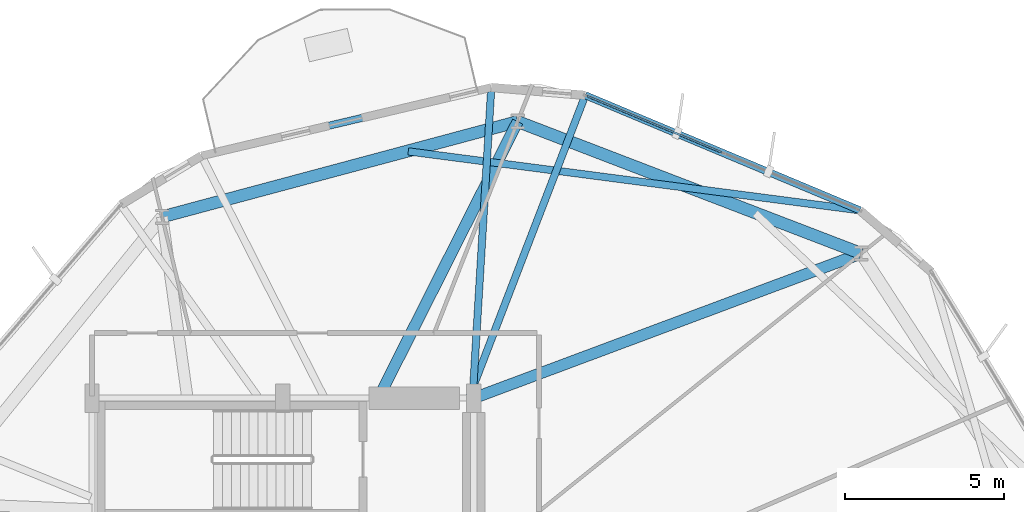
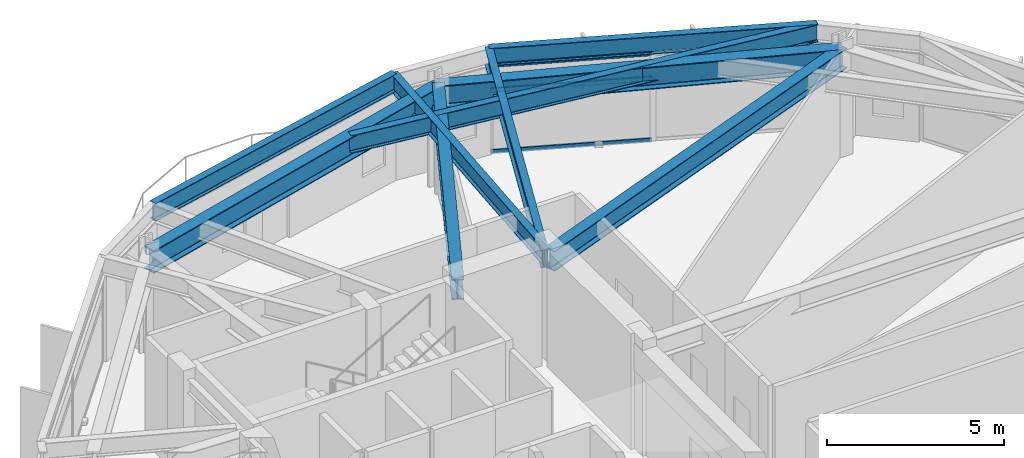
# One storey, part 12 of 21: 9 beams, 3 members, 1 element without a shape of its own.
"""IFC4 building model written with IfcOpenShell, lengths in metres."""

from ifc_helpers import new_model, si_unit, direction, frame, origin, origin_2d, place, context, subcontext, project, spatial, hollow_rectangle, i_section, extrude, material, layer, layer_set, material_profile, profile_set, type_object, element, aggregate, save


model = new_model("IFC4")

# Units and contexts
model_context = context("Model", 3, precision=1e-05, world=origin(), true_north=direction((0.0, 1.0)))
body_context = subcontext(model_context, "Body", "Model", "MODEL_VIEW")
ifc_project = project(units=[si_unit("LENGTHUNIT", "METRE"), si_unit("AREAUNIT", "SQUARE_METRE"), si_unit("VOLUMEUNIT", "CUBIC_METRE"), si_unit("PLANEANGLEUNIT", "RADIAN"), si_unit("MASSUNIT", "GRAM", prefix="KILO")], contexts=[model_context])

# Site, building, storey
site_placement = place(None, origin())
site = spatial("IfcSite", under=ifc_project, at=site_placement, CompositionType="ELEMENT")
building_placement = place(site_placement, origin())
building = spatial("IfcBuilding", under=site, at=building_placement, Name="Soratama Intermodal Tower", CompositionType="ELEMENT")
storey_placement = place(building_placement, frame((0.0, 0.0, 78.60009765625)))
storey = spatial("IfcBuildingStorey", under=building, at=storey_placement, Name="L18", CompositionType="ELEMENT", Elevation=78.60009765625)

# Beams
ifc_material_1 = material(Name="Structural steel ASTM A992 Grade 50", Category="steel")
ifc_material_profile_1 = material_profile(ifc_material_1, i_section(OverallWidth=0.35498046875, OverallDepth=0.695068359375, WebThickness=0.015380859375, FlangeThickness=0.02490234375, FilletRadius=0.01611328125, at=origin_2d()), Name="W27X146")
ifc_profile_set_1 = profile_set([ifc_material_profile_1], Name="Structural steel ASTM A992 Grade 50")
beam_type_1 = type_object("IfcBeamType", Name="BM-RING-W27X146", PredefinedType="BEAM", material=ifc_profile_set_1)
beam_1_placement = place(storey_placement, frame((44.60009765625, 35.0, 3.3125), z_axis=(0.936827486358, 0.349791739189, 0.0), x_axis=(-0.349791739189, 0.936827486358, 0.0)))
element("IfcBeam", 1, at=beam_1_placement, inside=storey, type_object=beam_type_1, Name="BM-L18-RAD-02", PredefinedType="BEAM", context=body_context, shape_type="SweptSolid", body=[
    extrude(i_section(OverallWidth=0.35498046875, OverallDepth=0.695068359375, WebThickness=0.015380859375, FlangeThickness=0.02490234375, FilletRadius=0.01611328125, at=origin_2d()), origin(), (0.0, 0.0, 1.0), 13.002197265625),
])
beam_2_placement = place(storey_placement, frame((41.60009765625, 35.0, 3.3125), z_axis=(0.449910017166, 0.893073891934, 0.0), x_axis=(-0.893073891934, 0.449910017166, 0.0)))
element("IfcBeam", 2, at=beam_2_placement, inside=storey, type_object=beam_type_1, Name="BM-L18-RAD-03", PredefinedType="BEAM", context=body_context, shape_type="SweptSolid", body=[
    extrude(i_section(OverallWidth=0.35498046875, OverallDepth=0.695068359375, WebThickness=0.015380859375, FlangeThickness=0.02490234375, FilletRadius=0.01611328125, at=origin_2d()), origin(), (0.0, 0.0, 1.0), 9.735107421875),
])
ifc_material_2 = material(Name="Structural steel ASTM A992 Grade 50", Category="steel")
ifc_material_profile_2 = material_profile(ifc_material_2, i_section(OverallWidth=0.382080078125, OverallDepth=0.779052734375, WebThickness=0.01806640625, FlangeThickness=0.030029296875, FilletRadius=0.01806640625, at=origin_2d()), Name="W30X191")
ifc_profile_set_2 = profile_set([ifc_material_profile_2], Name="Structural steel ASTM A992 Grade 50")
beam_type_2 = type_object("IfcBeamType", Name="BM-RING-W30X191", PredefinedType="BEAM", material=ifc_profile_set_2)
beam_3_placement = place(storey_placement, frame((56.781005859375, 39.548095703125, 3.2705078125), z_axis=(-0.933584159632, 0.358358224246, 0.0), x_axis=(-0.358358224246, -0.933584159632, 0.0)))
element("IfcBeam", 3, at=beam_3_placement, inside=storey, type_object=beam_type_2, Name="BM-L18-RING-02", PredefinedType="BEAM", context=body_context, shape_type="SweptSolid", body=[
    extrude(i_section(OverallWidth=0.382080078125, OverallDepth=0.779052734375, WebThickness=0.01806640625, FlangeThickness=0.030029296875, FilletRadius=0.01806640625, at=origin_2d()), origin(), (0.0, 0.0, 1.0), 11.5693359375),
])
beam_4_placement = place(storey_placement, frame((45.97998046875, 43.694091796875, 3.2705078125), z_axis=(-0.965935902196, -0.258781438376, 0.0), x_axis=(0.258781438376, -0.965935902196, 0.0)))
element("IfcBeam", 4, at=beam_4_placement, inside=storey, type_object=beam_type_2, Name="BM-L18-RING-03", PredefinedType="BEAM", context=body_context, shape_type="SweptSolid", body=[
    extrude(i_section(OverallWidth=0.382080078125, OverallDepth=0.779052734375, WebThickness=0.01806640625, FlangeThickness=0.030029296875, FilletRadius=0.01806640625, at=origin_2d()), origin(), (0.0, 0.0, 1.0), 11.570068359375),
])
ifc_material_3 = material(Name="Structural steel ASTM A992 Grade 50", Category="steel")
ifc_material_profile_3 = material_profile(ifc_material_3, i_section(OverallWidth=0.22900390625, OverallDepth=0.612060546875, WebThickness=0.011962890625, FlangeThickness=0.01953125, FilletRadius=0.012939453125, at=origin_2d()), Name="W24X84")
ifc_profile_set_3 = profile_set([ifc_material_profile_3], Name="Structural steel ASTM A992 Grade 50")
beam_type_3 = type_object("IfcBeamType", Name="BM-SPN-W24X84", PredefinedType="SPANDREL", material=ifc_profile_set_3)
for number, where, z_axis, x_axis, name in (
    (5, (56.740966796875, 40.904052734375, 3.35400390625), (-0.922301157168, 0.38647195951, 0.0), (-0.38647195951, -0.922301157168, 0.0), "BS-L18-F02"),
    (6, (45.15087890625, 44.76708984375, 3.35400390625), (-0.973345294504, -0.229344582816, 0.0), (0.229344582816, -0.973345294504, 0.0), "BS-L18-F03"),
):
    element("IfcBeam", number, at=place(storey_placement, frame(where, z_axis=z_axis, x_axis=x_axis)), inside=storey, type_object=beam_type_3, Name=name, PredefinedType="SPANDREL", context=body_context, shape_type="SweptSolid", body=[
        extrude(i_section(OverallWidth=0.22900390625, OverallDepth=0.612060546875, WebThickness=0.011962890625, FlangeThickness=0.01953125, FilletRadius=0.012939453125, at=origin_2d()), origin(), (0.0, 0.0, 1.0), 9.361328125),
    ])
ifc_material_4 = material(Name="Structural steel ASTM A992 Grade 50", Category="steel")
ifc_material_profile_4 = material_profile(ifc_material_4, i_section(OverallWidth=0.22900390625, OverallDepth=0.612060546875, WebThickness=0.011962890625, FlangeThickness=0.01953125, FilletRadius=0.012939453125, at=origin_2d()), Name="W24X84")
ifc_profile_set_4 = profile_set([ifc_material_profile_4], Name="Structural steel ASTM A992 Grade 50")
beam_type_4 = type_object("IfcBeamType", Name="BM-TIE-W24X84", PredefinedType="BEAM", material=ifc_profile_set_4)
beam_5_placement = place(storey_placement, frame((42.541015625, 42.757080078125, 3.35400390625), z_axis=(0.991592709078, -0.129398219863, 0.0), x_axis=(0.129398219863, 0.991592709078, 0.0)))
element("IfcBeam", 7, at=beam_5_placement, inside=storey, type_object=beam_type_4, Name="BM-L18-TIE0-02", PredefinedType="BEAM", context=body_context, shape_type="SweptSolid", body=[
    extrude(i_section(OverallWidth=0.22900390625, OverallDepth=0.612060546875, WebThickness=0.011962890625, FlangeThickness=0.01953125, FilletRadius=0.012939453125, at=origin_2d()), origin(), (0.0, 0.0, 1.0), 14.3203125),
])
beam_6_placement = place(storey_placement, frame((44.4580078125, 35.037109375, 3.35400390625), z_axis=(0.359056349783, 0.933315883118, 0.0), x_axis=(-0.933315883118, 0.359056349783, 0.0)))
element("IfcBeam", 8, at=beam_6_placement, inside=storey, type_object=beam_type_4, Name="BM-L18-TIE1-02", PredefinedType="BEAM", context=body_context, shape_type="SweptSolid", body=[
    extrude(i_section(OverallWidth=0.22900390625, OverallDepth=0.612060546875, WebThickness=0.011962890625, FlangeThickness=0.01953125, FilletRadius=0.012939453125, at=origin_2d()), origin(), (0.0, 0.0, 1.0), 10.16259765625),
])
beam_7_placement = place(storey_placement, frame((44.56591796875, 35.0400390625, 3.35400390625), z_axis=(0.06002909293, 0.998196627926, 0.0), x_axis=(-0.998196627926, 0.06002909293, 0.0)))
element("IfcBeam", 9, at=beam_7_placement, inside=storey, type_object=beam_type_4, Name="BM-L18-TIE0-03", PredefinedType="BEAM", context=body_context, shape_type="SweptSolid", body=[
    extrude(i_section(OverallWidth=0.22900390625, OverallDepth=0.612060546875, WebThickness=0.011962890625, FlangeThickness=0.01953125, FilletRadius=0.012939453125, at=origin_2d()), origin(), (0.0, 0.0, 1.0), 9.74462890625),
])

# Curtain wall, members
ifc_material_5 = material(Name="Double-glazed aluminium curtain wall", Category="aluminium")
ifc_layer = layer(ifc_material_5, 0.159912109375)
ifc_layer_set = layer_set([ifc_layer], Name="Double-glazed aluminium curtain wall")
curtain_wall_type = type_object("IfcCurtainWallType", Name="CW-SYS-2", PredefinedType="NOTDEFINED", material=ifc_layer_set)
curtain_wall_placement = place(storey_placement, origin())
curtain_wall = element("IfcCurtainWall", 10, at=curtain_wall_placement, inside=storey, type_object=curtain_wall_type, Name="L18 Faceted Curtain Wall F02", PredefinedType="NOTDEFINED")
ifc_material_6 = material(Name="Anodised aluminium AA 6063-T6", Category="aluminium")
ifc_material_profile_5 = material_profile(ifc_material_6, hollow_rectangle(XDim=0.06494140625, YDim=0.14990234375, WallThickness=0.0048828125, InnerFilletRadius=0.0048828125, OuterFilletRadius=0.010009765625, at=origin_2d()), Name="CWT150X65X5")
ifc_profile_set_5 = profile_set([ifc_material_profile_5], Name="Anodised aluminium AA 6063-T6")
member_type = type_object("IfcMemberType", Name="TT-CWT-1", PredefinedType="USERDEFINED", material=ifc_profile_set_5)
member_1_placement = place(storey_placement, frame((52.396240234375, 42.724609375, 0.02978515625), z_axis=(-0.922278791842, 0.386525329207, 0.0), x_axis=(-0.386525329207, -0.922278791842, 0.0)))
member_1 = element("IfcMember", 11, at=member_1_placement, type_object=member_type, Name="CW-2 transom 2.1", ObjectType="TRANSOM", PredefinedType="USERDEFINED", context=body_context, shape_type="SweptSolid", body=[
    extrude(hollow_rectangle(XDim=0.06494140625, YDim=0.14990234375, WallThickness=0.0048828125, InnerFilletRadius=0.0048828125, OuterFilletRadius=0.010009765625, at=origin_2d()), origin(), (0.0, 0.0, 1.0), 4.590576171875),
])
member_2_placement = place(storey_placement, frame((52.396240234375, 42.724609375, 2.14990234375), z_axis=(-0.922278791842, 0.386525329207, 0.0), x_axis=(-0.386525329207, -0.922278791842, 0.0)))
member_2 = element("IfcMember", 12, at=member_2_placement, type_object=member_type, Name="CW-2 transom 2.2", ObjectType="TRANSOM", PredefinedType="USERDEFINED", context=body_context, shape_type="SweptSolid", body=[
    extrude(hollow_rectangle(XDim=0.06494140625, YDim=0.14990234375, WallThickness=0.0048828125, InnerFilletRadius=0.0048828125, OuterFilletRadius=0.010009765625, at=origin_2d()), origin(), (0.0, 0.0, 1.0), 4.590576171875),
])
member_3_placement = place(storey_placement, frame((52.396240234375, 42.724609375, 3.0087890625), z_axis=(-0.922278791842, 0.386525329207, 0.0), x_axis=(-0.386525329207, -0.922278791842, 0.0)))
member_3 = element("IfcMember", 13, at=member_3_placement, type_object=member_type, Name="CW-2 transom 2.3", ObjectType="TRANSOM", PredefinedType="USERDEFINED", context=body_context, shape_type="SweptSolid", body=[
    extrude(hollow_rectangle(XDim=0.06494140625, YDim=0.14990234375, WallThickness=0.0048828125, InnerFilletRadius=0.0048828125, OuterFilletRadius=0.010009765625, at=origin_2d()), origin(), (0.0, 0.0, 1.0), 4.590576171875),
])
aggregate(curtain_wall, [member_1, member_2, member_3])

save(model, "model.ifc")
